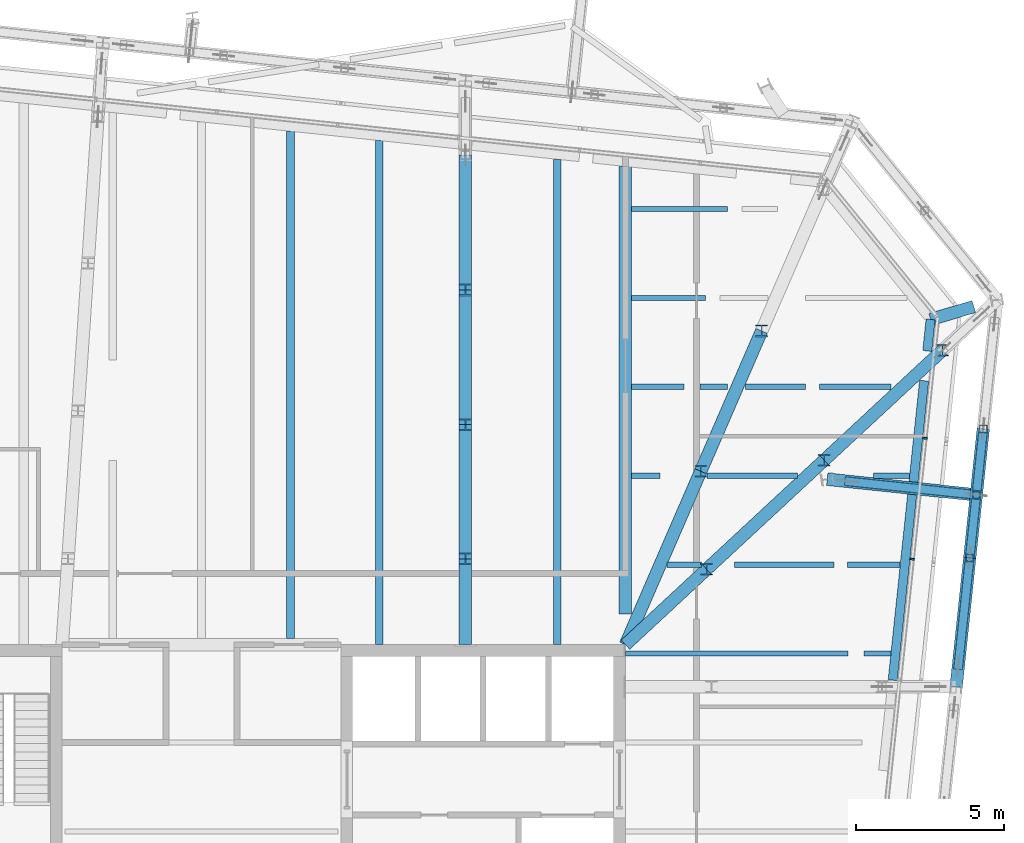
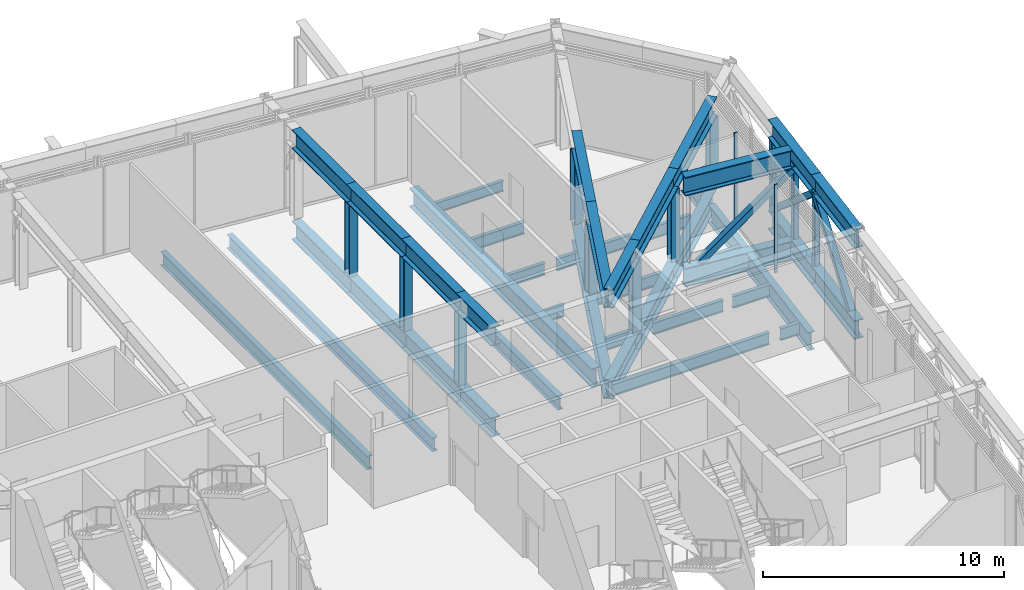
# One storey, part 16 of 36: 46 beams, 16 members, 1 element without a shape of its own.
"""IFC4 building model written with IfcOpenShell, lengths in metres."""

from ifc_helpers import new_model, si_unit, direction, frame, origin, origin_2d, place, context, subcontext, project, spatial, rectangle, hollow_rectangle, i_section, extrude, material, layer, layer_set, material_profile, profile_set, type_object, element, aggregate, save


model = new_model("IFC4")

# Units and contexts
model_context = context("Model", 3, precision=1e-05, world=origin(), true_north=direction((0.0, 1.0)))
body_context = subcontext(model_context, "Body", "Model", "MODEL_VIEW")
ifc_project = project(units=[si_unit("LENGTHUNIT", "METRE"), si_unit("AREAUNIT", "SQUARE_METRE"), si_unit("VOLUMEUNIT", "CUBIC_METRE"), si_unit("PLANEANGLEUNIT", "RADIAN"), si_unit("MASSUNIT", "GRAM", prefix="KILO")], contexts=[model_context])

# Site, building, storey
site_placement = place(None, origin())
site = spatial("IfcSite", under=ifc_project, at=site_placement, CompositionType="ELEMENT")
building_placement = place(site_placement, origin())
building = spatial("IfcBuilding", under=site, at=building_placement, Name="Millrace Tower", CompositionType="ELEMENT")
storey_placement = place(building_placement, frame((0.0, 0.0, 271.39990234375)))
storey = spatial("IfcBuildingStorey", under=building, at=storey_placement, Name="L62", CompositionType="ELEMENT", Elevation=271.39990234375)

# Curtain wall, members
ifc_material_1 = material(Name="Aluminium and glass", Category="aluminium")
ifc_layer = layer(ifc_material_1, 0.14990234375)
ifc_layer_set = layer_set([ifc_layer], Name="Aluminium and glass")
curtain_wall_type = type_object("IfcCurtainWallType", Name="CW-5 truss and plant storey louvred infill", PredefinedType="NOTDEFINED", material=ifc_layer_set)
curtain_wall_placement = place(storey_placement, origin())
curtain_wall = element("IfcCurtainWall", 1, at=curtain_wall_placement, inside=storey, type_object=curtain_wall_type, Name="Curtain wall E-F04 L62", PredefinedType="NOTDEFINED")
ifc_material_2 = material(Name="Aluminium", Category="aluminium")
ifc_material_profile_1 = material_profile(ifc_material_2, rectangle(XDim=0.06494140625, YDim=0.14990234375, at=origin_2d()))
ifc_profile_set_1 = profile_set([ifc_material_profile_1], Name="Aluminium")
member_type_1 = type_object("IfcMemberType", Name="CW-5 truss and plant storey louvred infill mullion", PredefinedType="MULLION", material=ifc_profile_set_1)
member_1_placement = place(storey_placement, frame((23.974853515625, 12.1904296875, 0.14013671875), z_axis=(0.0, 0.0, 1.0), x_axis=(0.104528455196, 0.994521896217, 0.0)))
member_1 = element("IfcMember", 2, at=member_1_placement, type_object=member_type_1, Name="CW5 mullion E-F04.8", PredefinedType="MULLION", context=body_context, shape_type="SweptSolid", body=[
    extrude(rectangle(XDim=0.06494140625, YDim=0.14990234375, at=origin_2d()), origin(), (0.0, 0.0, 1.0), 4.4599609375),
])
member_2_placement = place(storey_placement, frame((24.4033203125, 16.267822265625, 0.14013671875), z_axis=(0.0, 0.0, 1.0), x_axis=(0.104528455196, 0.994521896217, 0.0)))
member_2 = element("IfcMember", 3, at=member_2_placement, type_object=member_type_1, Name="CW5 mullion E-F04.9", PredefinedType="MULLION", context=body_context, shape_type="SweptSolid", body=[
    extrude(rectangle(XDim=0.06494140625, YDim=0.14990234375, at=origin_2d()), origin(), (0.0, 0.0, 1.0), 4.4599609375),
])
aggregate(curtain_wall, [member_1, member_2])

# Beams
ifc_material_3 = material(Name="Steel ASTM A992 Grade 50", Category="steel")
ifc_material_profile_2 = material_profile(ifc_material_3, i_section(OverallWidth=0.1650390625, OverallDepth=0.52587890625, WebThickness=0.0087890625, FlangeThickness=0.011474609375, FilletRadius=0.0126953125, at=origin_2d()))
ifc_profile_set_2 = profile_set([ifc_material_profile_2], Name="Steel ASTM A992 Grade 50")
beam_type_1 = type_object("IfcBeamType", Name="Floor beam W21x44", PredefinedType="JOIST", material=ifc_profile_set_2)
beam_1_placement = place(storey_placement, frame((14.509521484375, 24.0, -0.4228515625), z_axis=(1.0, 0.0, 0.0), x_axis=(0.0, 1.0, 0.0)))
element("IfcBeam", 4, at=beam_1_placement, inside=storey, type_object=beam_type_1, Name="BM-E-L62-S1-S034-a", PredefinedType="JOIST", context=body_context, shape_type="SweptSolid", body=[
    extrude(i_section(OverallWidth=0.1650390625, OverallDepth=0.52587890625, WebThickness=0.0087890625, FlangeThickness=0.011474609375, FilletRadius=0.0126953125, at=origin_2d()), origin(), (0.0, 0.0, 1.0), 3.23828125),
])
ifc_material_4 = material(Name="Steel ASTM A992 Grade 50", Category="steel")
ifc_material_profile_3 = material_profile(ifc_material_4, i_section(OverallWidth=0.177978515625, OverallDepth=0.599365234375, WebThickness=0.010009765625, FlangeThickness=0.012939453125, FilletRadius=0.012939453125, at=origin_2d()))
ifc_profile_set_3 = profile_set([ifc_material_profile_3], Name="Steel ASTM A992 Grade 50")
beam_type_2 = type_object("IfcBeamType", Name="Floor beam W24x55", PredefinedType="JOIST", material=ifc_profile_set_3)
beam_2_placement = place(storey_placement, frame((14.509521484375, 18.0, -0.459716796875), z_axis=(1.0, 0.0, 0.0), x_axis=(0.0, 1.0, 0.0)))
element("IfcBeam", 5, at=beam_2_placement, inside=storey, type_object=beam_type_2, Name="BM-E-L62-S1-S030-a", PredefinedType="JOIST", context=body_context, shape_type="SweptSolid", body=[
    extrude(i_section(OverallWidth=0.177978515625, OverallDepth=0.599365234375, WebThickness=0.010009765625, FlangeThickness=0.012939453125, FilletRadius=0.012939453125, at=origin_2d()), origin(), (0.0, 0.0, 1.0), 1.761474609375),
])
beam_3_placement = place(storey_placement, frame((14.509521484375, 21.0, -0.459716796875), z_axis=(1.0, 0.0, 0.0), x_axis=(0.0, 1.0, 0.0)))
element("IfcBeam", 6, at=beam_3_placement, inside=storey, type_object=beam_type_2, Name="BM-E-L62-S1-S032-a", PredefinedType="JOIST", context=body_context, shape_type="SweptSolid", body=[
    extrude(i_section(OverallWidth=0.177978515625, OverallDepth=0.599365234375, WebThickness=0.010009765625, FlangeThickness=0.012939453125, FilletRadius=0.012939453125, at=origin_2d()), origin(), (0.0, 0.0, 1.0), 2.49853515625),
])
beam_4_placement = place(storey_placement, frame((14.300048828125, 9.0, -0.459716796875), z_axis=(1.0, 0.0, 0.0), x_axis=(0.0, 1.0, 0.0)))
element("IfcBeam", 7, at=beam_4_placement, inside=storey, type_object=beam_type_2, Name="BM-E-L62-S1-S024-a", PredefinedType="JOIST", context=body_context, shape_type="SweptSolid", body=[
    extrude(i_section(OverallWidth=0.177978515625, OverallDepth=0.599365234375, WebThickness=0.010009765625, FlangeThickness=0.012939453125, FilletRadius=0.012939453125, at=origin_2d()), origin(), (0.0, 0.0, 1.0), 7.505615234375),
])
beam_5_placement = place(storey_placement, frame((22.34326171875, 9.0, -0.459716796875), z_axis=(1.0, 0.0, 0.0), x_axis=(0.0, 1.0, 0.0)))
element("IfcBeam", 8, at=beam_5_placement, inside=storey, type_object=beam_type_2, Name="BM-E-L62-S1-S024-b", PredefinedType="JOIST", context=body_context, shape_type="SweptSolid", body=[
    extrude(i_section(OverallWidth=0.177978515625, OverallDepth=0.599365234375, WebThickness=0.010009765625, FlangeThickness=0.012939453125, FilletRadius=0.012939453125, at=origin_2d()), origin(), (0.0, 0.0, 1.0), 0.911865234375),
])
beam_6_placement = place(storey_placement, frame((14.509521484375, 15.0, -0.459716796875), z_axis=(1.0, 0.0, 0.0), x_axis=(0.0, 1.0, 0.0)))
element("IfcBeam", 9, at=beam_6_placement, inside=storey, type_object=beam_type_2, Name="BM-E-L62-S1-S028-a-a", PredefinedType="JOIST", context=body_context, shape_type="SweptSolid", body=[
    extrude(i_section(OverallWidth=0.177978515625, OverallDepth=0.599365234375, WebThickness=0.010009765625, FlangeThickness=0.012939453125, FilletRadius=0.012939453125, at=origin_2d()), origin(), (0.0, 0.0, 1.0), 0.956298828125),
])
beam_7_placement = place(storey_placement, frame((17.9736328125, 12.0, -0.459716796875), z_axis=(1.0, 0.0, 0.0), x_axis=(0.0, 1.0, 0.0)))
element("IfcBeam", 10, at=beam_7_placement, inside=storey, type_object=beam_type_2, Name="BM-E-L62-S1-S026-b-a", PredefinedType="JOIST", context=body_context, shape_type="SweptSolid", body=[
    extrude(i_section(OverallWidth=0.177978515625, OverallDepth=0.599365234375, WebThickness=0.010009765625, FlangeThickness=0.012939453125, FilletRadius=0.012939453125, at=origin_2d()), origin(), (0.0, 0.0, 1.0), 3.35693359375),
])
beam_8_placement = place(storey_placement, frame((21.796142578125, 12.0, -0.459716796875), z_axis=(1.0, 0.0, 0.0), x_axis=(0.0, 1.0, 0.0)))
element("IfcBeam", 11, at=beam_8_placement, inside=storey, type_object=beam_type_2, Name="BM-E-L62-S1-S026-b-b", PredefinedType="JOIST", context=body_context, shape_type="SweptSolid", body=[
    extrude(i_section(OverallWidth=0.177978515625, OverallDepth=0.599365234375, WebThickness=0.010009765625, FlangeThickness=0.012939453125, FilletRadius=0.012939453125, at=origin_2d()), origin(), (0.0, 0.0, 1.0), 1.774169921875),
])
beam_9_placement = place(storey_placement, frame((22.66943359375, 15.0, -0.459716796875), z_axis=(1.0, 0.0, 0.0), x_axis=(0.0, 1.0, 0.0)))
element("IfcBeam", 12, at=beam_9_placement, inside=storey, type_object=beam_type_2, Name="BM-E-L62-S1-S028-b", PredefinedType="JOIST", context=body_context, shape_type="SweptSolid", body=[
    extrude(i_section(OverallWidth=0.177978515625, OverallDepth=0.599365234375, WebThickness=0.010009765625, FlangeThickness=0.012939453125, FilletRadius=0.012939453125, at=origin_2d()), origin(), (0.0, 0.0, 1.0), 1.21630859375),
])
beam_10_placement = place(storey_placement, frame((16.822998046875, 18.0, -0.459716796875), z_axis=(1.0, 0.0, 0.0), x_axis=(0.0, 1.0, 0.0)))
element("IfcBeam", 13, at=beam_10_placement, inside=storey, type_object=beam_type_2, Name="BM-E-L62-S1-S030-b-a-a", PredefinedType="JOIST", context=body_context, shape_type="SweptSolid", body=[
    extrude(i_section(OverallWidth=0.177978515625, OverallDepth=0.599365234375, WebThickness=0.010009765625, FlangeThickness=0.012939453125, FilletRadius=0.012939453125, at=origin_2d()), origin(), (0.0, 0.0, 1.0), 0.924560546875),
])
beam_11_placement = place(storey_placement, frame((18.34814453125, 18.0, -0.459716796875), z_axis=(1.0, 0.0, 0.0), x_axis=(0.0, 1.0, 0.0)))
element("IfcBeam", 14, at=beam_11_placement, inside=storey, type_object=beam_type_2, Name="BM-E-L62-S1-S030-b-a-b", PredefinedType="JOIST", context=body_context, shape_type="SweptSolid", body=[
    extrude(i_section(OverallWidth=0.177978515625, OverallDepth=0.599365234375, WebThickness=0.010009765625, FlangeThickness=0.012939453125, FilletRadius=0.012939453125, at=origin_2d()), origin(), (0.0, 0.0, 1.0), 2.031982421875),
])
beam_12_placement = place(storey_placement, frame((20.845947265625, 18.0, -0.459716796875), z_axis=(1.0, 0.0, 0.0), x_axis=(0.0, 1.0, 0.0)))
element("IfcBeam", 15, at=beam_12_placement, inside=storey, type_object=beam_type_2, Name="BM-E-L62-S1-S030-b-b", PredefinedType="JOIST", context=body_context, shape_type="SweptSolid", body=[
    extrude(i_section(OverallWidth=0.177978515625, OverallDepth=0.599365234375, WebThickness=0.010009765625, FlangeThickness=0.012939453125, FilletRadius=0.012939453125, at=origin_2d()), origin(), (0.0, 0.0, 1.0), 2.411865234375),
])
beam_13_placement = place(storey_placement, frame((17.046142578125, 15.0, -0.459716796875), z_axis=(1.0, 0.0, 0.0), x_axis=(0.0, 1.0, 0.0)))
element("IfcBeam", 16, at=beam_13_placement, inside=storey, type_object=beam_type_2, Name="BM-E-L62-S1-S028-a-b", PredefinedType="JOIST", context=body_context, shape_type="SweptSolid", body=[
    extrude(i_section(OverallWidth=0.177978515625, OverallDepth=0.599365234375, WebThickness=0.010009765625, FlangeThickness=0.012939453125, FilletRadius=0.012939453125, at=origin_2d()), origin(), (0.0, 0.0, 1.0), 3.052001953125),
])
beam_14_placement = place(storey_placement, frame((15.703125, 12.0, -0.459716796875), z_axis=(1.0, 0.0, 0.0), x_axis=(0.0, 1.0, 0.0)))
element("IfcBeam", 17, at=beam_14_placement, inside=storey, type_object=beam_type_2, Name="BM-E-L62-S1-S026-a", PredefinedType="JOIST", context=body_context, shape_type="SweptSolid", body=[
    extrude(i_section(OverallWidth=0.177978515625, OverallDepth=0.599365234375, WebThickness=0.010009765625, FlangeThickness=0.012939453125, FilletRadius=0.012939453125, at=origin_2d()), origin(), (0.0, 0.0, 1.0), 1.16455078125),
])
ifc_material_5 = material(Name="Steel ASTM A992 Grade 50", Category="steel")
ifc_material_profile_4 = material_profile(ifc_material_5, i_section(OverallWidth=0.256591796875, OverallDepth=0.693359375, WebThickness=0.014404296875, FlangeThickness=0.023681640625, FilletRadius=0.01513671875, at=origin_2d()))
ifc_profile_set_4 = profile_set([ifc_material_profile_4], Name="Steel ASTM A992 Grade 50")
beam_type_3 = type_object("IfcBeamType", Name="Floor beam W27x114", PredefinedType="JOIST", material=ifc_profile_set_4)
beam_15_placement = place(storey_placement, frame((3.0, 9.509521484375, -0.506591796875), z_axis=(0.0, 1.0, 0.0), x_axis=(-1.0, 0.0, 0.0)))
element("IfcBeam", 18, at=beam_15_placement, inside=storey, type_object=beam_type_3, Name="BM-E-L62-S1-S046", PredefinedType="JOIST", context=body_context, shape_type="SweptSolid", body=[
    extrude(i_section(OverallWidth=0.256591796875, OverallDepth=0.693359375, WebThickness=0.014404296875, FlangeThickness=0.023681640625, FilletRadius=0.01513671875, at=origin_2d()), origin(), (0.0, 0.0, 1.0), 17.112548828125),
])
beam_16_placement = place(storey_placement, frame((6.0, 9.300048828125, -0.506591796875), z_axis=(0.0, 1.0, 0.0), x_axis=(-1.0, 0.0, 0.0)))
element("IfcBeam", 19, at=beam_16_placement, inside=storey, type_object=beam_type_3, Name="BM-E-L62-S1-S048", PredefinedType="JOIST", context=body_context, shape_type="SweptSolid", body=[
    extrude(i_section(OverallWidth=0.256591796875, OverallDepth=0.693359375, WebThickness=0.014404296875, FlangeThickness=0.023681640625, FilletRadius=0.01513671875, at=origin_2d()), origin(), (0.0, 0.0, 1.0), 17.006591796875),
])
beam_17_placement = place(storey_placement, frame((12.0, 9.300048828125, -0.506591796875), z_axis=(0.0, 1.0, 0.0), x_axis=(-1.0, 0.0, 0.0)))
element("IfcBeam", 20, at=beam_17_placement, inside=storey, type_object=beam_type_3, Name="BM-E-L62-S1-S052", PredefinedType="JOIST", context=body_context, shape_type="SweptSolid", body=[
    extrude(i_section(OverallWidth=0.256591796875, OverallDepth=0.693359375, WebThickness=0.014404296875, FlangeThickness=0.023681640625, FilletRadius=0.01513671875, at=origin_2d()), origin(), (0.0, 0.0, 1.0), 16.3759765625),
])
ifc_material_6 = material(Name="Steel ASTM A992 Grade 50", Category="steel")
ifc_material_profile_5 = material_profile(ifc_material_6, i_section(OverallWidth=0.424072265625, OverallDepth=0.947509765625, WebThickness=0.02392578125, FlangeThickness=0.042724609375, FilletRadius=0.024169921875, at=origin_2d()))
ifc_profile_set_5 = profile_set([ifc_material_profile_5], Name="Steel ASTM A992 Grade 50")
beam_type_4 = type_object("IfcBeamType", Name="Girder medium span W36x302", PredefinedType="BEAM", material=ifc_profile_set_5)
beam_18_placement = place(storey_placement, frame((14.300048828125, 10.329833984375, -0.633544921875), z_axis=(0.0, 1.0, 0.0), x_axis=(-1.0, 0.0, 0.0)))
element("IfcBeam", 21, at=beam_18_placement, inside=storey, type_object=beam_type_4, Name="BM-E-L62-S1-G056", PredefinedType="BEAM", context=body_context, shape_type="SweptSolid", body=[
    extrude(i_section(OverallWidth=0.424072265625, OverallDepth=0.947509765625, WebThickness=0.02392578125, FlangeThickness=0.042724609375, FilletRadius=0.024169921875, at=origin_2d()), origin(), (0.0, 0.0, 1.0), 15.1044921875),
])
ifc_material_7 = material(Name="Steel ASTM A992 Grade 50", Category="steel")
ifc_material_profile_6 = material_profile(ifc_material_7, i_section(OverallWidth=0.421630859375, OverallDepth=0.95751953125, WebThickness=0.02587890625, FlangeThickness=0.046875, FilletRadius=0.024169921875, at=origin_2d()))
ifc_profile_set_6 = profile_set([ifc_material_profile_6], Name="Steel ASTM A992 Grade 50")
beam_type_5 = type_object("IfcBeamType", Name="Link beam W36x330", PredefinedType="BEAM", material=ifc_profile_set_6)
beam_19_placement = place(storey_placement, frame((24.594482421875, 20.273681640625, -0.638671875), z_axis=(0.958827242938, 0.283989996653, 0.0), x_axis=(-0.283989996653, 0.958827242938, 0.0)))
element("IfcBeam", 22, at=beam_19_placement, inside=storey, type_object=beam_type_5, Name="LNK-E-L62-S1-09", PredefinedType="BEAM", context=body_context, shape_type="SweptSolid", body=[
    extrude(i_section(OverallWidth=0.421630859375, OverallDepth=0.95751953125, WebThickness=0.02587890625, FlangeThickness=0.046875, FilletRadius=0.024169921875, at=origin_2d()), origin(), (0.0, 0.0, 1.0), 1.521728515625),
])
ifc_material_8 = material(Name="Steel ASTM A992 Grade 50", Category="steel")
ifc_material_profile_7 = material_profile(ifc_material_8, i_section(OverallWidth=0.307373046875, OverallDepth=0.927001953125, WebThickness=0.01953125, FlangeThickness=0.031982421875, FilletRadius=0.01904296875, at=origin_2d()))
ifc_profile_set_7 = profile_set([ifc_material_profile_7], Name="Steel ASTM A992 Grade 50")
beam_type_6 = type_object("IfcBeamType", Name="Ring beam short span W36x194", PredefinedType="SPANDREL", material=ifc_profile_set_7)
beam_20_placement = place(storey_placement, frame((23.9736328125, 14.366943359375, -0.62353515625), z_axis=(-0.104523330898, -0.994522434789, 0.0), x_axis=(0.994522434789, -0.104523330898, 0.0)))
element("IfcBeam", 23, at=beam_20_placement, inside=storey, type_object=beam_type_6, Name="RNG-E-L62-S1-09-b", PredefinedType="SPANDREL", context=body_context, shape_type="SweptSolid", body=[
    extrude(i_section(OverallWidth=0.307373046875, OverallDepth=0.927001953125, WebThickness=0.01953125, FlangeThickness=0.031982421875, FilletRadius=0.01904296875, at=origin_2d()), origin(), (0.0, 0.0, 1.0), 6.297119140625),
])
beam_21_placement = place(storey_placement, frame((24.594482421875, 20.273681640625, -0.62353515625), z_axis=(-0.104625456917, -0.994511696143, 0.0), x_axis=(0.994511696143, -0.104625456917, 0.0)))
element("IfcBeam", 24, at=beam_21_placement, inside=storey, type_object=beam_type_6, Name="RNG-E-L62-S1-09-a-a", PredefinedType="SPANDREL", context=body_context, shape_type="SweptSolid", body=[
    extrude(i_section(OverallWidth=0.307373046875, OverallDepth=0.927001953125, WebThickness=0.01953125, FlangeThickness=0.031982421875, FilletRadius=0.01904296875, at=origin_2d()), origin(), (0.0, 0.0, 1.0), 1.071044921875),
])
beam_22_placement = place(storey_placement, frame((24.377197265625, 18.205810546875, -0.62353515625), z_axis=(-0.104558895977, -0.994518696291, 0.0), x_axis=(0.994518696291, -0.104558895977, 0.0)))
element("IfcBeam", 25, at=beam_22_placement, inside=storey, type_object=beam_type_6, Name="RNG-E-L62-S1-09-a-b", PredefinedType="SPANDREL", context=body_context, shape_type="SweptSolid", body=[
    extrude(i_section(OverallWidth=0.307373046875, OverallDepth=0.927001953125, WebThickness=0.01953125, FlangeThickness=0.031982421875, FilletRadius=0.01904296875, at=origin_2d()), origin(), (0.0, 0.0, 1.0), 3.432373046875),
])

# Members
ifc_material_9 = material(Name="Steel ASTM A992 Grade 50", Category="steel")
ifc_material_profile_8 = material_profile(ifc_material_9, i_section(OverallWidth=0.4013671875, OverallDepth=0.398681640625, WebThickness=0.02490234375, FlangeThickness=0.03955078125, FilletRadius=0.01513671875, at=origin_2d()))
ifc_profile_set_8 = profile_set([ifc_material_profile_8], Name="Steel ASTM A992 Grade 50")
member_type_2 = type_object("IfcMemberType", Name="Transfer truss Vierendeel moment post W14x211", PredefinedType="POST", material=ifc_profile_set_8)
for number, where, z_axis, x_axis, name in (
    (26, (24.99755859375, 19.234619140625, -0.159912109375), (0.0, 0.0, 1.0), (1.0, 0.0, 0.0), "TRS-L62-C09-V01"),
    (27, (21.004150390625, 15.52587890625, -0.159912109375), (0.0, 0.0, 1.0), (1.0, 0.0, 0.0), "TRS-L62-C09-V02"),
    (28, (17.04052734375, 11.844970703125, -0.159912109375), (0.0, 0.0, 1.0), (1.0, 0.0, 0.0), "TRS-L62-C09-V03"),
    (29, (18.894287109375, 19.8857421875, -0.159912109375), (0.0, 0.0, 1.0), (1.0, 0.0, 0.0), "TRS-L62-C10-V02"),
    (30, (16.840087890625, 15.152587890625, -0.159912109375), (0.0, 0.0, 1.0), (1.0, 0.0, 0.0), "TRS-L62-C10-V03"),
    (31, (8.9033203125, 21.271484375, -0.159912109375), (0.0, 0.0, 1.0), (1.0, 0.0, 0.0), "TRS-L62-C11-V02"),
    (32, (8.9033203125, 16.7216796875, -0.159912109375), (0.0, 0.0, 1.0), (1.0, 0.0, 0.0), "TRS-L62-C11-V03"),
    (33, (8.9033203125, 12.199951171875, -0.159912109375), (0.0, 0.0, 1.0), (1.0, 0.0, 0.0), "TRS-L62-C11-V04"),
):
    element("IfcMember", number, at=place(storey_placement, frame(where, z_axis=z_axis, x_axis=x_axis)), inside=storey, type_object=member_type_2, Name=name, PredefinedType="POST", context=body_context, shape_type="SweptSolid", body=[
        extrude(i_section(OverallWidth=0.4013671875, OverallDepth=0.398681640625, WebThickness=0.02490234375, FlangeThickness=0.03955078125, FilletRadius=0.01513671875, at=origin_2d()), origin(), (0.0, 0.0, 1.0), 3.652587890625),
    ])

# Beams
ifc_material_10 = material(Name="Steel ASTM A992 Grade 50", Category="steel")
ifc_material_profile_9 = material_profile(ifc_material_10, i_section(OverallWidth=0.424072265625, OverallDepth=0.947509765625, WebThickness=0.02392578125, FlangeThickness=0.042724609375, FilletRadius=0.024169921875, at=origin_2d()))
ifc_profile_set_9 = profile_set([ifc_material_profile_9], Name="Steel ASTM A992 Grade 50")
beam_type_7 = type_object("IfcBeamType", Name="Transfer truss chord W36x302", PredefinedType="BEAM", material=ifc_profile_set_9)
for number, where, z_axis, x_axis, name in (
    (34, (25.457275390625, 7.879150390625, -0.633544921875), (0.104545391672, 0.994520115976, 0.0), (-0.994520115976, 0.104545391672, 0.0), "TRS-L62-R08-B01"),
    (35, (25.457275390625, 7.879150390625, 3.96630859375), (0.104545391672, 0.994520115976, 0.0), (-0.994520115976, 0.104545391672, 0.0), "TRS-L62-R08-T01"),
):
    element("IfcBeam", number, at=place(storey_placement, frame(where, z_axis=z_axis, x_axis=x_axis)), inside=storey, type_object=beam_type_7, Name=name, PredefinedType="BEAM", context=body_context, shape_type="SweptSolid", body=[
        extrude(i_section(OverallWidth=0.424072265625, OverallDepth=0.947509765625, WebThickness=0.02392578125, FlangeThickness=0.042724609375, FilletRadius=0.024169921875, at=origin_2d()), origin(), (0.0, 0.0, 1.0), 4.376220703125),
    ])
for number, where, z_axis, x_axis, name in (
    (36, (25.914794921875, 12.2314453125, -0.633544921875), (0.104496011305, 0.994525305672, 0.0), (-0.994525305672, 0.104496011305, 0.0), "TRS-L62-R08-B02"),
    (37, (25.914794921875, 12.2314453125, 3.96630859375), (0.104496011305, 0.994525305672, 0.0), (-0.994525305672, 0.104496011305, 0.0), "TRS-L62-R08-T02"),
):
    element("IfcBeam", number, at=place(storey_placement, frame(where, z_axis=z_axis, x_axis=x_axis)), inside=storey, type_object=beam_type_7, Name=name, PredefinedType="BEAM", context=body_context, shape_type="SweptSolid", body=[
        extrude(i_section(OverallWidth=0.424072265625, OverallDepth=0.947509765625, WebThickness=0.02392578125, FlangeThickness=0.042724609375, FilletRadius=0.024169921875, at=origin_2d()), origin(), (0.0, 0.0, 1.0), 4.3759765625),
    ])
for number, where, z_axis, x_axis, name in (
    (38, (24.99755859375, 19.234619140625, -0.633544921875), (-0.732740837881, -0.680507799001, 0.0), (0.680507799001, -0.732740837881, 0.0), "TRS-L62-C09-B02"),
    (39, (24.99755859375, 19.234619140625, 3.96630859375), (-0.732740837881, -0.680507799001, 0.0), (0.680507799001, -0.732740837881, 0.0), "TRS-L62-C09-T02"),
):
    element("IfcBeam", number, at=place(storey_placement, frame(where, z_axis=z_axis, x_axis=x_axis)), inside=storey, type_object=beam_type_7, Name=name, PredefinedType="BEAM", context=body_context, shape_type="SweptSolid", body=[
        extrude(i_section(OverallWidth=0.424072265625, OverallDepth=0.947509765625, WebThickness=0.02392578125, FlangeThickness=0.042724609375, FilletRadius=0.024169921875, at=origin_2d()), origin(), (0.0, 0.0, 1.0), 5.449951171875),
    ])
for number, where, z_axis, x_axis, name in (
    (40, (21.004150390625, 15.52587890625, -0.633544921875), (-0.732756517457, -0.680490915534, 0.0), (0.680490915534, -0.732756517457, 0.0), "TRS-L62-C09-B03"),
    (41, (21.004150390625, 15.52587890625, 3.96630859375), (-0.732756517457, -0.680490915534, 0.0), (0.680490915534, -0.732756517457, 0.0), "TRS-L62-C09-T03"),
):
    element("IfcBeam", number, at=place(storey_placement, frame(where, z_axis=z_axis, x_axis=x_axis)), inside=storey, type_object=beam_type_7, Name=name, PredefinedType="BEAM", context=body_context, shape_type="SweptSolid", body=[
        extrude(i_section(OverallWidth=0.424072265625, OverallDepth=0.947509765625, WebThickness=0.02392578125, FlangeThickness=0.042724609375, FilletRadius=0.024169921875, at=origin_2d()), origin(), (0.0, 0.0, 1.0), 5.4091796875),
    ])
for number, where, z_axis, x_axis, name in (
    (42, (17.04052734375, 11.844970703125, -0.633544921875), (-0.73276791566, -0.680478641678, 0.0), (0.680478641678, -0.73276791566, 0.0), "TRS-L62-C09-B04"),
    (43, (17.04052734375, 11.844970703125, 3.96630859375), (-0.73276791566, -0.680478641678, 0.0), (0.680478641678, -0.73276791566, 0.0), "TRS-L62-C09-T04"),
):
    element("IfcBeam", number, at=place(storey_placement, frame(where, z_axis=z_axis, x_axis=x_axis)), inside=storey, type_object=beam_type_7, Name=name, PredefinedType="BEAM", context=body_context, shape_type="SweptSolid", body=[
        extrude(i_section(OverallWidth=0.424072265625, OverallDepth=0.947509765625, WebThickness=0.02392578125, FlangeThickness=0.042724609375, FilletRadius=0.024169921875, at=origin_2d()), origin(), (0.0, 0.0, 1.0), 3.739990234375),
    ])
for number, where, z_axis, x_axis, name in (
    (44, (18.894287109375, 19.8857421875, -0.633544921875), (-0.398123920525, -0.917331643358, 0.0), (0.917331643358, -0.398123920525, 0.0), "TRS-L62-C10-B03"),
    (45, (18.894287109375, 19.8857421875, 3.96630859375), (-0.398123920525, -0.917331643358, 0.0), (0.917331643358, -0.398123920525, 0.0), "TRS-L62-C10-T03"),
):
    element("IfcBeam", number, at=place(storey_placement, frame(where, z_axis=z_axis, x_axis=x_axis)), inside=storey, type_object=beam_type_7, Name=name, PredefinedType="BEAM", context=body_context, shape_type="SweptSolid", body=[
        extrude(i_section(OverallWidth=0.424072265625, OverallDepth=0.947509765625, WebThickness=0.02392578125, FlangeThickness=0.042724609375, FilletRadius=0.024169921875, at=origin_2d()), origin(), (0.0, 0.0, 1.0), 5.15966796875),
    ])
for number, where, z_axis, x_axis, name in (
    (46, (16.840087890625, 15.152587890625, -0.633544921875), (-0.398127142817, -0.917330244869, 0.0), (0.917330244869, -0.398127142817, 0.0), "TRS-L62-C10-B04"),
    (47, (16.840087890625, 15.152587890625, 3.96630859375), (-0.398127142817, -0.917330244869, 0.0), (0.917330244869, -0.398127142817, 0.0), "TRS-L62-C10-T04"),
):
    element("IfcBeam", number, at=place(storey_placement, frame(where, z_axis=z_axis, x_axis=x_axis)), inside=storey, type_object=beam_type_7, Name=name, PredefinedType="BEAM", context=body_context, shape_type="SweptSolid", body=[
        extrude(i_section(OverallWidth=0.424072265625, OverallDepth=0.947509765625, WebThickness=0.02392578125, FlangeThickness=0.042724609375, FilletRadius=0.024169921875, at=origin_2d()), origin(), (0.0, 0.0, 1.0), 6.3798828125),
    ])
for number, where, z_axis, x_axis, name in (
    (48, (8.9033203125, 25.821533203125, -0.633544921875), (0.0, -1.0, 0.0), (1.0, 0.0, 0.0), "TRS-L62-C11-B02"),
    (49, (8.9033203125, 25.821533203125, 3.96630859375), (0.0, -1.0, 0.0), (1.0, 0.0, 0.0), "TRS-L62-C11-T02"),
):
    element("IfcBeam", number, at=place(storey_placement, frame(where, z_axis=z_axis, x_axis=x_axis)), inside=storey, type_object=beam_type_7, Name=name, PredefinedType="BEAM", context=body_context, shape_type="SweptSolid", body=[
        extrude(i_section(OverallWidth=0.424072265625, OverallDepth=0.947509765625, WebThickness=0.02392578125, FlangeThickness=0.042724609375, FilletRadius=0.024169921875, at=origin_2d()), origin(), (0.0, 0.0, 1.0), 4.550048828125),
    ])
for number, where, z_axis, x_axis, name in (
    (50, (8.9033203125, 21.271484375, -0.633544921875), (0.0, -1.0, 0.0), (1.0, 0.0, 0.0), "TRS-L62-C11-B03"),
    (51, (8.9033203125, 21.271484375, 3.96630859375), (0.0, -1.0, 0.0), (1.0, 0.0, 0.0), "TRS-L62-C11-T03"),
):
    element("IfcBeam", number, at=place(storey_placement, frame(where, z_axis=z_axis, x_axis=x_axis)), inside=storey, type_object=beam_type_7, Name=name, PredefinedType="BEAM", context=body_context, shape_type="SweptSolid", body=[
        extrude(i_section(OverallWidth=0.424072265625, OverallDepth=0.947509765625, WebThickness=0.02392578125, FlangeThickness=0.042724609375, FilletRadius=0.024169921875, at=origin_2d()), origin(), (0.0, 0.0, 1.0), 4.5498046875),
    ])
for number, where, z_axis, x_axis, name in (
    (52, (8.9033203125, 16.7216796875, -0.633544921875), (0.0, -1.0, 0.0), (1.0, 0.0, 0.0), "TRS-L62-C11-B04"),
    (53, (8.9033203125, 16.7216796875, 3.96630859375), (0.0, -1.0, 0.0), (1.0, 0.0, 0.0), "TRS-L62-C11-T04"),
):
    element("IfcBeam", number, at=place(storey_placement, frame(where, z_axis=z_axis, x_axis=x_axis)), inside=storey, type_object=beam_type_7, Name=name, PredefinedType="BEAM", context=body_context, shape_type="SweptSolid", body=[
        extrude(i_section(OverallWidth=0.424072265625, OverallDepth=0.947509765625, WebThickness=0.02392578125, FlangeThickness=0.042724609375, FilletRadius=0.024169921875, at=origin_2d()), origin(), (0.0, 0.0, 1.0), 4.521728515625),
    ])
for number, where, z_axis, x_axis, name in (
    (54, (8.9033203125, 12.199951171875, -0.633544921875), (0.0, -1.0, 0.0), (1.0, 0.0, 0.0), "TRS-L62-C11-B05"),
    (55, (8.9033203125, 12.199951171875, 3.96630859375), (0.0, -1.0, 0.0), (1.0, 0.0, 0.0), "TRS-L62-C11-T05"),
):
    element("IfcBeam", number, at=place(storey_placement, frame(where, z_axis=z_axis, x_axis=x_axis)), inside=storey, type_object=beam_type_7, Name=name, PredefinedType="BEAM", context=body_context, shape_type="SweptSolid", body=[
        extrude(i_section(OverallWidth=0.424072265625, OverallDepth=0.947509765625, WebThickness=0.02392578125, FlangeThickness=0.042724609375, FilletRadius=0.024169921875, at=origin_2d()), origin(), (0.0, 0.0, 1.0), 2.89990234375),
    ])
for number, where, z_axis, x_axis, name in (
    (56, (21.106689453125, 14.88330078125, -0.633544921875), (0.994522827509, -0.104519594159, 0.0), (0.104519594159, 0.994522827509, 0.0), "TRS-L62-B-D-X08-B01"),
    (57, (21.106689453125, 14.88330078125, 3.96630859375), (0.994522827509, -0.104519594159, 0.0), (0.104519594159, 0.994522827509, 0.0), "TRS-L62-B-D-X08-T01"),
):
    element("IfcBeam", number, at=place(storey_placement, frame(where, z_axis=z_axis, x_axis=x_axis)), inside=storey, type_object=beam_type_7, Name=name, PredefinedType="BEAM", context=body_context, shape_type="SweptSolid", body=[
        extrude(i_section(OverallWidth=0.424072265625, OverallDepth=0.947509765625, WebThickness=0.02392578125, FlangeThickness=0.042724609375, FilletRadius=0.024169921875, at=origin_2d()), origin(), (0.0, 0.0, 1.0), 4.846923828125),
    ])

# Members
ifc_material_11 = material(Name="Steel ASTM A500 Grade C", Category="steel")
ifc_material_profile_10 = material_profile(ifc_material_11, hollow_rectangle(XDim=0.3046875, YDim=0.3046875, WallThickness=0.0126953125, InnerFilletRadius=0.00634765625, OuterFilletRadius=0.01904296875, at=origin_2d()))
ifc_profile_set_10 = profile_set([ifc_material_profile_10], Name="Steel ASTM A500 Grade C")
member_type_3 = type_object("IfcMemberType", Name="Transfer truss diagonal HSS12x12x1/2", PredefinedType="BRACE", material=ifc_profile_set_10)
member_3_placement = place(storey_placement, frame((25.530517578125, 8.575439453125, -0.159912109375), z_axis=(0.074152977413, 0.705489731102, 0.704830174759), x_axis=(-0.994521452977, 0.104532672253, 0.0)))
element("IfcMember", 58, at=member_3_placement, inside=storey, type_object=member_type_3, Name="TRS-L62-R08-D01", PredefinedType="BRACE", context=body_context, shape_type="SweptSolid", body=[
    extrude(hollow_rectangle(XDim=0.3046875, YDim=0.3046875, WallThickness=0.0126953125, InnerFilletRadius=0.00634765625, OuterFilletRadius=0.01904296875, at=origin_2d()), origin(), (0.0, 0.0, 1.0), 5.18212890625),
])
member_4_placement = place(storey_placement, frame((26.3720703125, 16.58349609375, -0.159912109375), z_axis=(-0.080222709428, -0.763507751341, 0.640796559397), x_axis=(0.994525305672, -0.104496011305, 0.0)))
element("IfcMember", 59, at=member_4_placement, inside=storey, type_object=member_type_3, Name="TRS-L62-R08-D02", PredefinedType="BRACE", context=body_context, shape_type="SweptSolid", body=[
    extrude(hollow_rectangle(XDim=0.3046875, YDim=0.3046875, WallThickness=0.0126953125, InnerFilletRadius=0.00634765625, OuterFilletRadius=0.01904296875, at=origin_2d()), origin(), (0.0, 0.0, 1.0), 5.7001953125),
])
member_5_placement = place(storey_placement, frame((21.802734375, 14.81005859375, -0.159912109375), z_axis=(0.762289407397, -0.08010542514, 0.642260056545), x_axis=(0.104509855598, 0.994523850937, 0.0)))
element("IfcMember", 60, at=member_5_placement, inside=storey, type_object=member_type_3, Name="TRS-L62-B-D-X08-D01", PredefinedType="BRACE", context=body_context, shape_type="SweptSolid", body=[
    extrude(hollow_rectangle(XDim=0.3046875, YDim=0.3046875, WallThickness=0.0126953125, InnerFilletRadius=0.00634765625, OuterFilletRadius=0.01904296875, at=origin_2d()), origin(), (0.0, 0.0, 1.0), 5.68701171875),
])
ifc_material_12 = material(Name="Steel ASTM A500 Grade C", Category="steel")
ifc_material_profile_11 = material_profile(ifc_material_12, hollow_rectangle(XDim=0.25390625, YDim=0.25390625, WallThickness=0.0126953125, InnerFilletRadius=0.00634765625, OuterFilletRadius=0.01904296875, at=origin_2d()))
ifc_profile_set_11 = profile_set([ifc_material_profile_11], Name="Steel ASTM A500 Grade C")
member_type_4 = type_object("IfcMemberType", Name="Transfer truss post HSS10x10x1/2", PredefinedType="POST", material=ifc_profile_set_11)
for number, where, z_axis, x_axis, name in (
    (61, (25.914794921875, 12.2314453125, -0.159912109375), (0.0, 0.0, 1.0), (1.0, 0.0, 0.0), "TRS-L62-R08-V01"),
    (62, (26.3720703125, 16.58349609375, -0.159912109375), (0.0, 0.0, 1.0), (1.0, 0.0, 0.0), "TRS-L62-R08-V02"),
    (63, (26.137939453125, 14.3544921875, -0.159912109375), (0.0, 0.0, 1.0), (1.0, 0.0, 0.0), "TRS-L62-B-D-X08-V01"),
):
    element("IfcMember", number, at=place(storey_placement, frame(where, z_axis=z_axis, x_axis=x_axis)), inside=storey, type_object=member_type_4, Name=name, PredefinedType="POST", context=body_context, shape_type="SweptSolid", body=[
        extrude(hollow_rectangle(XDim=0.25390625, YDim=0.25390625, WallThickness=0.0126953125, InnerFilletRadius=0.00634765625, OuterFilletRadius=0.01904296875, at=origin_2d()), origin(), (0.0, 0.0, 1.0), 3.652587890625),
    ])

save(model, "model.ifc")
